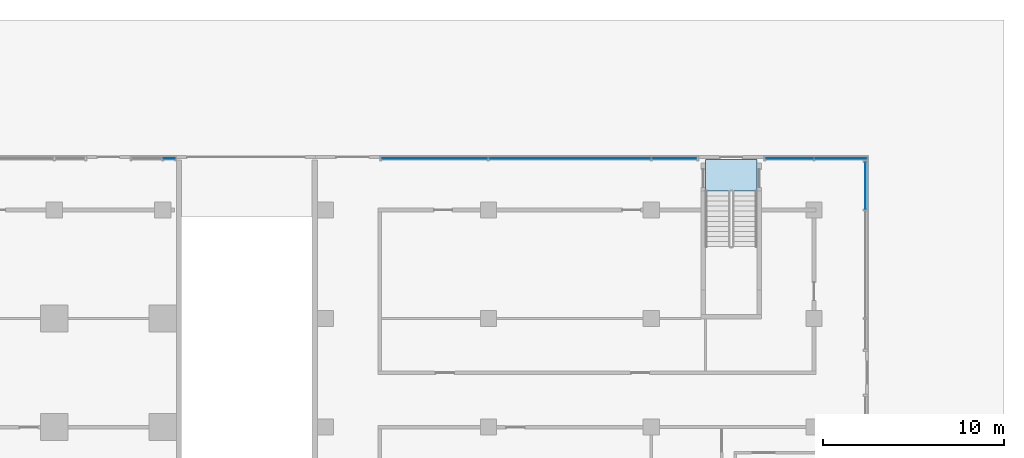
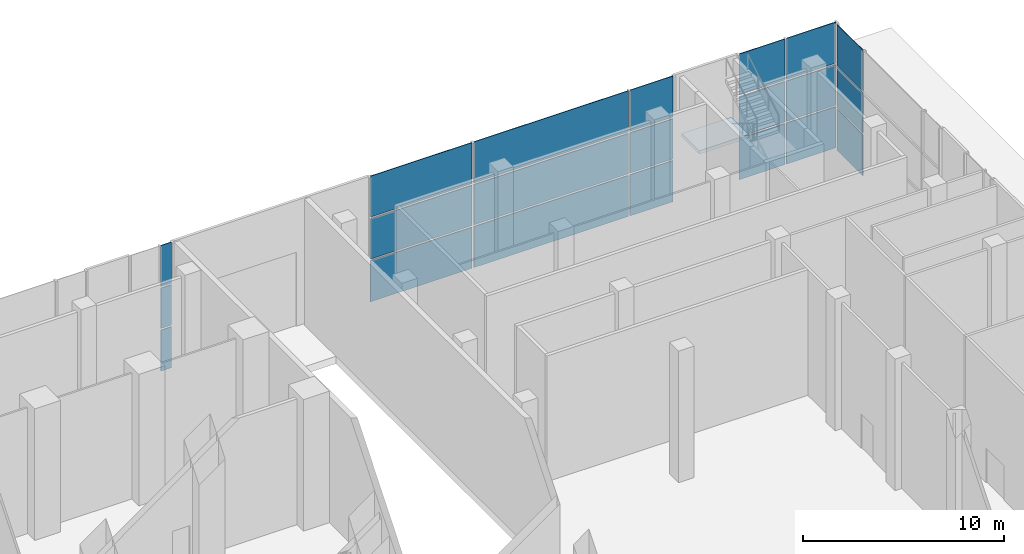
# One storey, part 16 of 29: 21 plates, 1 slab, 5 elements without a shape of their own.
"""IFC4 building model written with IfcOpenShell, lengths in metres."""

from ifc_helpers import new_model, si_unit, direction, frame, origin, origin_2d, place, context, subcontext, project, spatial, polyline, rectangle, outline, extrude, material, layer, layer_set, type_object, element, aggregate, save


model = new_model("IFC4")

# Units and contexts
model_context = context("Model", 3, precision=1e-05, world=origin(), true_north=direction((0.0, 1.0)))
body_context = subcontext(model_context, "Body", "Model", "MODEL_VIEW")
ifc_project = project(units=[si_unit("LENGTHUNIT", "METRE"), si_unit("AREAUNIT", "SQUARE_METRE"), si_unit("VOLUMEUNIT", "CUBIC_METRE"), si_unit("PLANEANGLEUNIT", "RADIAN"), si_unit("MASSUNIT", "GRAM", prefix="KILO")], contexts=[model_context])

# Site, building, storey
site_placement = place(None, origin())
site = spatial("IfcSite", under=ifc_project, at=site_placement, CompositionType="ELEMENT")
building_placement = place(site_placement, origin())
building = spatial("IfcBuilding", under=site, at=building_placement, Name="Finial Court Residences", CompositionType="ELEMENT")
storey_placement = place(building_placement, origin())
storey = spatial("IfcBuildingStorey", under=building, at=storey_placement, Name="L00", CompositionType="ELEMENT", Elevation=0.0)

# Curtain wall, plates
ifc_material_1 = material(Name="Bronze anodised aluminium", Category="aluminium")
curtain_wall_type = type_object("IfcCurtainWallType", Name="Podium shopfront", PredefinedType="NOTDEFINED", material=ifc_material_1)
curtain_wall_1_placement = place(storey_placement, origin())
curtain_wall_1 = element("IfcCurtainWall", 1, at=curtain_wall_1_placement, inside=storey, type_object=curtain_wall_type, Name="E-L00-CW-N6", PredefinedType="NOTDEFINED")
ifc_material_2 = material(Name="Clear low-e glass", Category="glass")
ifc_layer_1 = layer(ifc_material_2, 0.0400390625)
ifc_layer_set_1 = layer_set([ifc_layer_1], Name="CW4 vision glass 40")
plate_type = type_object("IfcPlateType", Name="CW4 vision glass 40", PredefinedType="CURTAIN_PANEL", material=ifc_layer_set_1)
plate_1_placement = place(storey_placement, frame((22.85009765625, 34.35009765625, 0.0), z_axis=(0.0, 0.0, 1.0), x_axis=(1.0, 0.0, 0.0)))
plate_1 = element("IfcPlate", 2, at=plate_1_placement, type_object=plate_type, Name="CW4 glass 2.1", PredefinedType="CURTAIN_PANEL", context=body_context, shape_type="SweptSolid", body=[
    extrude(rectangle(XDim=0.60009765625, YDim=0.0400390625, at=origin_2d()), origin(), (0.0, 0.0, 1.0), 2.5),
])
plate_2_placement = place(storey_placement, frame((22.85009765625, 34.35009765625, 2.60009765625), z_axis=(0.0, 0.0, 1.0), x_axis=(1.0, 0.0, 0.0)))
plate_2 = element("IfcPlate", 3, at=plate_2_placement, type_object=plate_type, Name="CW4 glass 2.2", PredefinedType="CURTAIN_PANEL", context=body_context, shape_type="SweptSolid", body=[
    extrude(rectangle(XDim=0.60009765625, YDim=0.0400390625, at=origin_2d()), origin(), (0.0, 0.0, 1.0), 2.449951171875),
])
plate_3_placement = place(storey_placement, frame((22.85009765625, 34.35009765625, 5.14990234375), z_axis=(0.0, 0.0, 1.0), x_axis=(1.0, 0.0, 0.0)))
plate_3 = element("IfcPlate", 4, at=plate_3_placement, type_object=plate_type, Name="CW4 glass 2.3", PredefinedType="CURTAIN_PANEL", context=body_context, shape_type="SweptSolid", body=[
    extrude(rectangle(XDim=0.60009765625, YDim=0.0400390625, at=origin_2d()), origin(), (0.0, 0.0, 1.0), 2.5),
])
aggregate(curtain_wall_1, [plate_1, plate_2, plate_3])

curtain_wall_2_placement = place(storey_placement, origin())
curtain_wall_2 = element("IfcCurtainWall", 5, at=curtain_wall_2_placement, inside=storey, type_object=curtain_wall_type, Name="E-L00-CW-N7", PredefinedType="NOTDEFINED")
plate_4_placement = place(storey_placement, frame((37.52490234375, 34.35009765625, 0.0), z_axis=(0.0, 0.0, 1.0), x_axis=(1.0, 0.0, 0.0)))
plate_4 = element("IfcPlate", 6, at=plate_4_placement, type_object=plate_type, Name="CW4 glass 1.1", PredefinedType="CURTAIN_PANEL", context=body_context, shape_type="SweptSolid", body=[
    extrude(rectangle(XDim=5.85009765625, YDim=0.0400390625, at=origin_2d()), origin(), (0.0, 0.0, 1.0), 2.5),
])
plate_5_placement = place(storey_placement, frame((37.52490234375, 34.35009765625, 2.60009765625), z_axis=(0.0, 0.0, 1.0), x_axis=(1.0, 0.0, 0.0)))
plate_5 = element("IfcPlate", 7, at=plate_5_placement, type_object=plate_type, Name="CW4 glass 1.2", PredefinedType="CURTAIN_PANEL", context=body_context, shape_type="SweptSolid", body=[
    extrude(rectangle(XDim=5.85009765625, YDim=0.0400390625, at=origin_2d()), origin(), (0.0, 0.0, 1.0), 2.449951171875),
])
plate_6_placement = place(storey_placement, frame((37.52490234375, 34.35009765625, 5.14990234375), z_axis=(0.0, 0.0, 1.0), x_axis=(1.0, 0.0, 0.0)))
plate_6 = element("IfcPlate", 8, at=plate_6_placement, type_object=plate_type, Name="CW4 glass 1.3", PredefinedType="CURTAIN_PANEL", context=body_context, shape_type="SweptSolid", body=[
    extrude(rectangle(XDim=5.85009765625, YDim=0.0400390625, at=origin_2d()), origin(), (0.0, 0.0, 1.0), 2.5),
])
plate_7_placement = place(storey_placement, frame((45.0, 34.35009765625, 0.0), z_axis=(0.0, 0.0, 1.0), x_axis=(1.0, 0.0, 0.0)))
plate_7 = element("IfcPlate", 9, at=plate_7_placement, type_object=plate_type, Name="CW4 glass 2.1", PredefinedType="CURTAIN_PANEL", context=body_context, shape_type="SweptSolid", body=[
    extrude(rectangle(XDim=8.89990234375, YDim=0.0400390625, at=origin_2d()), origin(), (0.0, 0.0, 1.0), 2.5),
])
plate_8_placement = place(storey_placement, frame((45.0, 34.35009765625, 2.60009765625), z_axis=(0.0, 0.0, 1.0), x_axis=(1.0, 0.0, 0.0)))
plate_8 = element("IfcPlate", 10, at=plate_8_placement, type_object=plate_type, Name="CW4 glass 2.2", PredefinedType="CURTAIN_PANEL", context=body_context, shape_type="SweptSolid", body=[
    extrude(rectangle(XDim=8.89990234375, YDim=0.0400390625, at=origin_2d()), origin(), (0.0, 0.0, 1.0), 2.449951171875),
])
plate_9_placement = place(storey_placement, frame((45.0, 34.35009765625, 5.14990234375), z_axis=(0.0, 0.0, 1.0), x_axis=(1.0, 0.0, 0.0)))
plate_9 = element("IfcPlate", 11, at=plate_9_placement, type_object=plate_type, Name="CW4 glass 2.3", PredefinedType="CURTAIN_PANEL", context=body_context, shape_type="SweptSolid", body=[
    extrude(rectangle(XDim=8.89990234375, YDim=0.0400390625, at=origin_2d()), origin(), (0.0, 0.0, 1.0), 2.5),
])
plate_10_placement = place(storey_placement, frame((50.78759765625, 34.35009765625, 0.0), z_axis=(0.0, 0.0, 1.0), x_axis=(1.0, 0.0, 0.0)))
plate_10 = element("IfcPlate", 12, at=plate_10_placement, type_object=plate_type, Name="CW4 glass 3.1", PredefinedType="CURTAIN_PANEL", context=body_context, shape_type="SweptSolid", body=[
    extrude(rectangle(XDim=2.47509765625, YDim=0.0400390625, at=origin_2d()), origin(), (0.0, 0.0, 1.0), 2.5),
])
plate_11_placement = place(storey_placement, frame((50.78759765625, 34.35009765625, 2.60009765625), z_axis=(0.0, 0.0, 1.0), x_axis=(1.0, 0.0, 0.0)))
plate_11 = element("IfcPlate", 13, at=plate_11_placement, type_object=plate_type, Name="CW4 glass 3.2", PredefinedType="CURTAIN_PANEL", context=body_context, shape_type="SweptSolid", body=[
    extrude(rectangle(XDim=2.47509765625, YDim=0.0400390625, at=origin_2d()), origin(), (0.0, 0.0, 1.0), 2.449951171875),
])
plate_12_placement = place(storey_placement, frame((50.78759765625, 34.35009765625, 5.14990234375), z_axis=(0.0, 0.0, 1.0), x_axis=(1.0, 0.0, 0.0)))
plate_12 = element("IfcPlate", 14, at=plate_12_placement, type_object=plate_type, Name="CW4 glass 3.3", PredefinedType="CURTAIN_PANEL", context=body_context, shape_type="SweptSolid", body=[
    extrude(rectangle(XDim=2.47509765625, YDim=0.0400390625, at=origin_2d()), origin(), (0.0, 0.0, 1.0), 2.5),
])
aggregate(curtain_wall_2, [plate_4, plate_5, plate_6, plate_7, plate_8, plate_9, plate_10, plate_11, plate_12])

curtain_wall_3_placement = place(storey_placement, origin())
curtain_wall_3 = element("IfcCurtainWall", 15, at=curtain_wall_3_placement, inside=storey, type_object=curtain_wall_type, Name="E-L00-CW-N8", PredefinedType="NOTDEFINED")
plate_13_placement = place(storey_placement, frame((57.137451171875, 34.35009765625, 0.0), z_axis=(0.0, 0.0, 1.0), x_axis=(1.0, 0.0, 0.0)))
plate_13 = element("IfcPlate", 16, at=plate_13_placement, type_object=plate_type, Name="CW4 glass 1.1", PredefinedType="CURTAIN_PANEL", context=body_context, shape_type="SweptSolid", body=[
    extrude(rectangle(XDim=2.625, YDim=0.0400390625, at=origin_2d()), origin(), (0.0, 0.0, 1.0), 2.5),
])
plate_14_placement = place(storey_placement, frame((57.137451171875, 34.35009765625, 2.60009765625), z_axis=(0.0, 0.0, 1.0), x_axis=(1.0, 0.0, 0.0)))
plate_14 = element("IfcPlate", 17, at=plate_14_placement, type_object=plate_type, Name="CW4 glass 1.2", PredefinedType="CURTAIN_PANEL", context=body_context, shape_type="SweptSolid", body=[
    extrude(rectangle(XDim=2.625, YDim=0.0400390625, at=origin_2d()), origin(), (0.0, 0.0, 1.0), 2.449951171875),
])
plate_15_placement = place(storey_placement, frame((57.137451171875, 34.35009765625, 5.14990234375), z_axis=(0.0, 0.0, 1.0), x_axis=(1.0, 0.0, 0.0)))
plate_15 = element("IfcPlate", 18, at=plate_15_placement, type_object=plate_type, Name="CW4 glass 1.3", PredefinedType="CURTAIN_PANEL", context=body_context, shape_type="SweptSolid", body=[
    extrude(rectangle(XDim=2.625, YDim=0.0400390625, at=origin_2d()), origin(), (0.0, 0.0, 1.0), 2.5),
])
plate_16_placement = place(storey_placement, frame((59.97509765625, 34.35009765625, 0.0), z_axis=(0.0, 0.0, 1.0), x_axis=(1.0, 0.0, 0.0)))
plate_16 = element("IfcPlate", 19, at=plate_16_placement, type_object=plate_type, Name="CW4 glass 2.1", PredefinedType="CURTAIN_PANEL", context=body_context, shape_type="SweptSolid", body=[
    extrude(rectangle(XDim=2.85009765625, YDim=0.0400390625, at=origin_2d()), origin(), (0.0, 0.0, 1.0), 2.5),
])
plate_17_placement = place(storey_placement, frame((59.97509765625, 34.35009765625, 2.60009765625), z_axis=(0.0, 0.0, 1.0), x_axis=(1.0, 0.0, 0.0)))
plate_17 = element("IfcPlate", 20, at=plate_17_placement, type_object=plate_type, Name="CW4 glass 2.2", PredefinedType="CURTAIN_PANEL", context=body_context, shape_type="SweptSolid", body=[
    extrude(rectangle(XDim=2.85009765625, YDim=0.0400390625, at=origin_2d()), origin(), (0.0, 0.0, 1.0), 2.449951171875),
])
plate_18_placement = place(storey_placement, frame((59.97509765625, 34.35009765625, 5.14990234375), z_axis=(0.0, 0.0, 1.0), x_axis=(1.0, 0.0, 0.0)))
plate_18 = element("IfcPlate", 21, at=plate_18_placement, type_object=plate_type, Name="CW4 glass 2.3", PredefinedType="CURTAIN_PANEL", context=body_context, shape_type="SweptSolid", body=[
    extrude(rectangle(XDim=2.85009765625, YDim=0.0400390625, at=origin_2d()), origin(), (0.0, 0.0, 1.0), 2.5),
])
aggregate(curtain_wall_3, [plate_13, plate_14, plate_15, plate_16, plate_17, plate_18])

curtain_wall_4_placement = place(storey_placement, origin())
curtain_wall_4 = element("IfcCurtainWall", 22, at=curtain_wall_4_placement, inside=storey, type_object=curtain_wall_type, Name="E-L00-CW-E16", PredefinedType="NOTDEFINED")
plate_19_placement = place(storey_placement, frame((61.35009765625, 32.83740234375, 0.0), z_axis=(0.0, 0.0, 1.0), x_axis=(0.0, 1.0, 0.0)))
plate_19 = element("IfcPlate", 23, at=plate_19_placement, type_object=plate_type, Name="CW4 glass 3.1", PredefinedType="CURTAIN_PANEL", context=body_context, shape_type="SweptSolid", body=[
    extrude(rectangle(XDim=2.574951171875, YDim=0.0400390625, at=origin_2d()), origin(), (0.0, 0.0, 1.0), 2.5),
])
plate_20_placement = place(storey_placement, frame((61.35009765625, 32.83740234375, 2.60009765625), z_axis=(0.0, 0.0, 1.0), x_axis=(0.0, 1.0, 0.0)))
plate_20 = element("IfcPlate", 24, at=plate_20_placement, type_object=plate_type, Name="CW4 glass 3.2", PredefinedType="CURTAIN_PANEL", context=body_context, shape_type="SweptSolid", body=[
    extrude(rectangle(XDim=2.574951171875, YDim=0.0400390625, at=origin_2d()), origin(), (0.0, 0.0, 1.0), 2.449951171875),
])
plate_21_placement = place(storey_placement, frame((61.35009765625, 32.83740234375, 5.14990234375), z_axis=(0.0, 0.0, 1.0), x_axis=(0.0, 1.0, 0.0)))
plate_21 = element("IfcPlate", 25, at=plate_21_placement, type_object=plate_type, Name="CW4 glass 3.3", PredefinedType="CURTAIN_PANEL", context=body_context, shape_type="SweptSolid", body=[
    extrude(rectangle(XDim=2.574951171875, YDim=0.0400390625, at=origin_2d()), origin(), (0.0, 0.0, 1.0), 2.5),
])
aggregate(curtain_wall_4, [plate_19, plate_20, plate_21])

# Stair, slab
ifc_material_3 = material(Name="Concrete C50/60", Category="concrete")
stair_type = type_object("IfcStairType", Name="Exit stair 48 risers of 166.7 mm", PredefinedType="HALF_TURN_STAIR", material=ifc_material_3)
stair_placement = place(storey_placement, origin())
stair = element("IfcStair", 26, at=stair_placement, inside=storey, type_object=stair_type, Name="L00 Exit Stair 5", PredefinedType="HALF_TURN_STAIR")
ifc_layer_2 = layer(ifc_material_3, 0.199951171875)
ifc_layer_set_2 = layer_set([ifc_layer_2], Name="Exit stair landing")
slab_type = type_object("IfcSlabType", Name="Exit stair landing", PredefinedType="LANDING", material=ifc_layer_set_2)
slab_placement = place(storey_placement, frame((0.0, 0.0, 3.800048828125)))
slab = element("IfcSlab", 27, at=slab_placement, type_object=slab_type, Name="ST-5 landing 2", PredefinedType="LANDING", context=body_context, shape_type="SweptSolid", body=[
    extrude(outline(polyline([(52.5, 34.300048828125), (52.5, 32.550048828125), (55.35009765625, 32.550048828125), (55.35009765625, 34.300048828125), (52.5, 34.300048828125)])), origin(), (0.0, 0.0, 1.0), 0.199951171875),
])
aggregate(stair, [slab])

save(model, "model.ifc")
